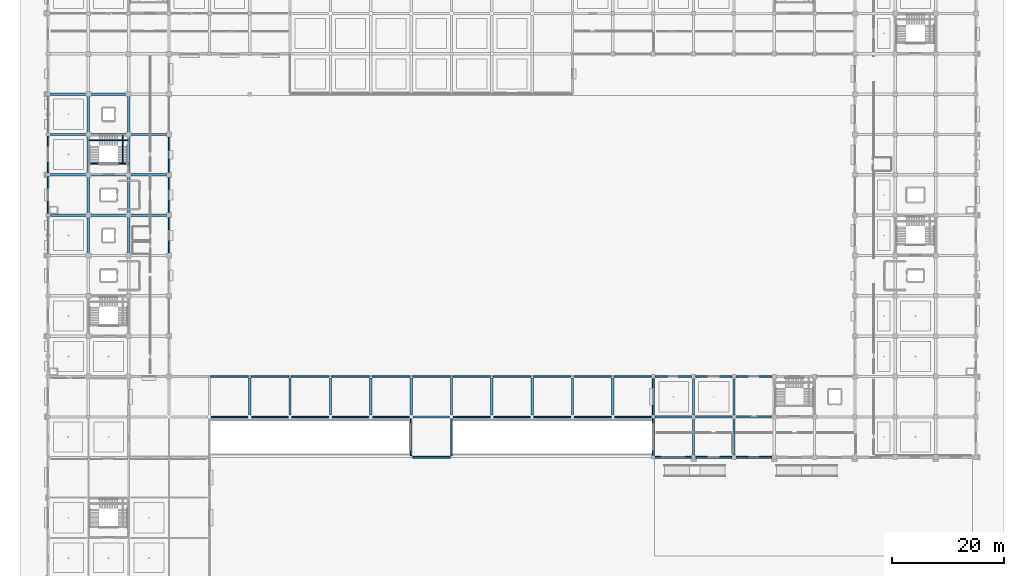
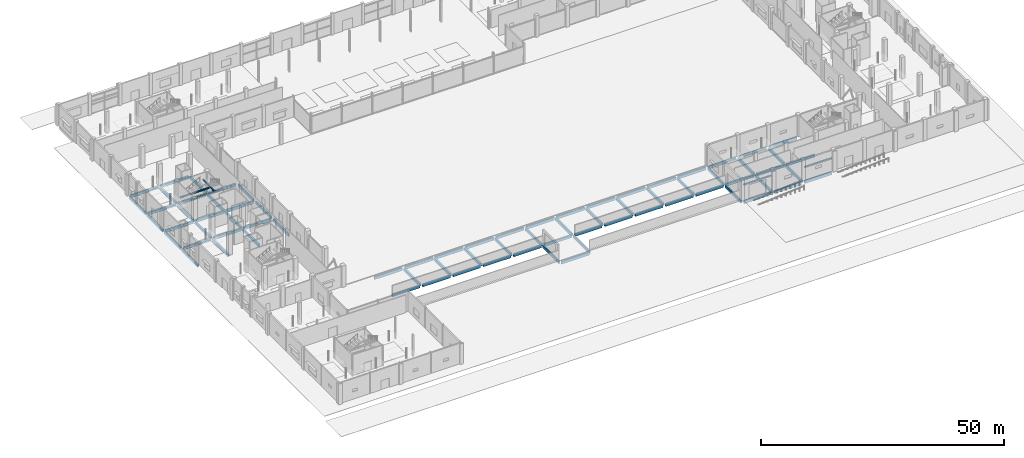
# One storey, part 12 of 90: 81 beams.
"""IFC4 building model written with IfcOpenShell, lengths in metres."""

from ifc_helpers import new_model, si_unit, direction, frame, origin, origin_2d, place, context, subcontext, project, spatial, rectangle, extrude, material, material_profile, profile_set, type_object, element, save


model = new_model("IFC4")

# Units and contexts
model_context = context("Model", 3, precision=1e-05, world=origin(), true_north=direction((0.0, 1.0)))
body_context = subcontext(model_context, "Body", "Model", "MODEL_VIEW")
ifc_project = project(units=[si_unit("LENGTHUNIT", "METRE"), si_unit("AREAUNIT", "SQUARE_METRE"), si_unit("VOLUMEUNIT", "CUBIC_METRE"), si_unit("PLANEANGLEUNIT", "RADIAN"), si_unit("MASSUNIT", "GRAM", prefix="KILO")], contexts=[model_context])

# Site, building, storey
site_placement = place(None, origin())
site = spatial("IfcSite", under=ifc_project, at=site_placement, CompositionType="ELEMENT")
building_placement = place(site_placement, origin())
building = spatial("IfcBuilding", under=site, at=building_placement, Name="Kangsadwip Square Police Headquarters", CompositionType="ELEMENT")
storey_placement = place(building_placement, origin())
storey = spatial("IfcBuildingStorey", under=building, at=storey_placement, Name="L00", CompositionType="ELEMENT", Elevation=0.0)

# Beams
ifc_material_1 = material(Name="Concrete M35 (35 MPa)", Category="concrete")
ifc_material_profile_1 = material_profile(ifc_material_1, rectangle(XDim=0.39990234375, YDim=0.64990234375, at=origin_2d()), Name="RC BM 650X400")
ifc_profile_set_1 = profile_set([ifc_material_profile_1], Name="Concrete M35 (35 MPa)")
beam_type_1 = type_object("IfcBeamType", Name="RcBeam650x400", PredefinedType="BEAM", material=ifc_profile_set_1)
beam_1_placement = place(storey_placement, frame((65.125, 28.800048828125, -0.574951171875), z_axis=(1.0, 0.0, 0.0), x_axis=(0.0, 1.0, 0.0)))
element("IfcBeam", 1, at=beam_1_placement, inside=storey, type_object=beam_type_1, Name="Beam BM-L00-X-09-04", PredefinedType="BEAM", context=body_context, shape_type="SweptSolid", body=[
    extrude(rectangle(XDim=0.39990234375, YDim=0.64990234375, at=origin_2d()), origin(), (0.0, 0.0, 1.0), 6.550048828125),
])
beam_2_placement = place(storey_placement, frame((36.0, 29.125, -0.574951171875), z_axis=(0.0, 1.0, 0.0), x_axis=(-1.0, 0.0, 0.0)))
element("IfcBeam", 2, at=beam_2_placement, inside=storey, type_object=beam_type_1, Name="Beam BM-L00-Y-05-04", PredefinedType="BEAM", context=body_context, shape_type="SweptSolid", body=[
    extrude(rectangle(XDim=0.39990234375, YDim=0.64990234375, at=origin_2d()), origin(), (0.0, 0.0, 1.0), 6.60009765625),
])
beam_3_placement = place(storey_placement, frame((43.199951171875, 29.125, -0.574951171875), z_axis=(0.0, 1.0, 0.0), x_axis=(-1.0, 0.0, 0.0)))
element("IfcBeam", 3, at=beam_3_placement, inside=storey, type_object=beam_type_1, Name="Beam BM-L00-Y-06-04", PredefinedType="BEAM", context=body_context, shape_type="SweptSolid", body=[
    extrude(rectangle(XDim=0.39990234375, YDim=0.64990234375, at=origin_2d()), origin(), (0.0, 0.0, 1.0), 6.625),
])
beam_4_placement = place(storey_placement, frame((50.39990234375, 29.125, -0.574951171875), z_axis=(0.0, 1.0, 0.0), x_axis=(-1.0, 0.0, 0.0)))
element("IfcBeam", 4, at=beam_4_placement, inside=storey, type_object=beam_type_1, Name="Beam BM-L00-Y-07-04", PredefinedType="BEAM", context=body_context, shape_type="SweptSolid", body=[
    extrude(rectangle(XDim=0.39990234375, YDim=0.64990234375, at=origin_2d()), origin(), (0.0, 0.0, 1.0), 6.60009765625),
])
beam_5_placement = place(storey_placement, frame((57.60009765625, 29.125, -0.574951171875), z_axis=(0.0, 1.0, 0.0), x_axis=(-1.0, 0.0, 0.0)))
element("IfcBeam", 5, at=beam_5_placement, inside=storey, type_object=beam_type_1, Name="Beam BM-L00-Y-08-04", PredefinedType="BEAM", context=body_context, shape_type="SweptSolid", body=[
    extrude(rectangle(XDim=0.39990234375, YDim=0.64990234375, at=origin_2d()), origin(), (0.0, 0.0, 1.0), 6.625),
])
beam_6_placement = place(storey_placement, frame((64.800048828125, 29.125, -0.574951171875), z_axis=(0.0, 1.0, 0.0), x_axis=(-1.0, 0.0, 0.0)))
element("IfcBeam", 6, at=beam_6_placement, inside=storey, type_object=beam_type_1, Name="Beam BM-L00-Y-09-04", PredefinedType="BEAM", context=body_context, shape_type="SweptSolid", body=[
    extrude(rectangle(XDim=0.39990234375, YDim=0.64990234375, at=origin_2d()), origin(), (0.0, 0.0, 1.0), 6.60009765625),
])
beam_7_placement = place(storey_placement, frame((72.0, 29.125, -0.574951171875), z_axis=(0.0, 1.0, 0.0), x_axis=(-1.0, 0.0, 0.0)))
element("IfcBeam", 7, at=beam_7_placement, inside=storey, type_object=beam_type_1, Name="Beam BM-L00-Y-10-04", PredefinedType="BEAM", context=body_context, shape_type="SweptSolid", body=[
    extrude(rectangle(XDim=0.39990234375, YDim=0.64990234375, at=origin_2d()), origin(), (0.0, 0.0, 1.0), 6.625),
])
beam_8_placement = place(storey_placement, frame((79.199951171875, 29.125, -0.574951171875), z_axis=(0.0, 1.0, 0.0), x_axis=(-1.0, 0.0, 0.0)))
element("IfcBeam", 8, at=beam_8_placement, inside=storey, type_object=beam_type_1, Name="Beam BM-L00-Y-11-04", PredefinedType="BEAM", context=body_context, shape_type="SweptSolid", body=[
    extrude(rectangle(XDim=0.39990234375, YDim=0.64990234375, at=origin_2d()), origin(), (0.0, 0.0, 1.0), 6.60009765625),
])
beam_9_placement = place(storey_placement, frame((86.39990234375, 29.125, -0.574951171875), z_axis=(0.0, 1.0, 0.0), x_axis=(-1.0, 0.0, 0.0)))
element("IfcBeam", 9, at=beam_9_placement, inside=storey, type_object=beam_type_1, Name="Beam BM-L00-Y-12-04", PredefinedType="BEAM", context=body_context, shape_type="SweptSolid", body=[
    extrude(rectangle(XDim=0.39990234375, YDim=0.64990234375, at=origin_2d()), origin(), (0.0, 0.0, 1.0), 6.625),
])
beam_10_placement = place(storey_placement, frame((93.60009765625, 29.125, -0.574951171875), z_axis=(0.0, 1.0, 0.0), x_axis=(-1.0, 0.0, 0.0)))
element("IfcBeam", 10, at=beam_10_placement, inside=storey, type_object=beam_type_1, Name="Beam BM-L00-Y-13-04", PredefinedType="BEAM", context=body_context, shape_type="SweptSolid", body=[
    extrude(rectangle(XDim=0.39990234375, YDim=0.64990234375, at=origin_2d()), origin(), (0.0, 0.0, 1.0), 6.60009765625),
])
beam_11_placement = place(storey_placement, frame((100.800048828125, 29.125, -0.574951171875), z_axis=(0.0, 1.0, 0.0), x_axis=(-1.0, 0.0, 0.0)))
element("IfcBeam", 11, at=beam_11_placement, inside=storey, type_object=beam_type_1, Name="Beam BM-L00-Y-14-04", PredefinedType="BEAM", context=body_context, shape_type="SweptSolid", body=[
    extrude(rectangle(XDim=0.39990234375, YDim=0.64990234375, at=origin_2d()), origin(), (0.0, 0.0, 1.0), 6.625),
])
for number, where, z_axis, x_axis, name in (
    (12, (108.324951171875, 28.800048828125, -0.574951171875), (1.0, 0.0, 0.0), (0.0, 1.0, 0.0), "Beam BM-L00-X-15-04"),
    (13, (115.52490234375, 28.800048828125, -0.574951171875), (1.0, 0.0, 0.0), (0.0, 1.0, 0.0), "Beam BM-L00-X-16-04"),
):
    element("IfcBeam", number, at=place(storey_placement, frame(where, z_axis=z_axis, x_axis=x_axis)), inside=storey, type_object=beam_type_1, Name=name, PredefinedType="BEAM", context=body_context, shape_type="SweptSolid", body=[
        extrude(rectangle(XDim=0.39990234375, YDim=0.64990234375, at=origin_2d()), origin(), (0.0, 0.0, 1.0), 6.550048828125),
    ])
beam_12_placement = place(storey_placement, frame((122.72509765625, 28.800048828125, -0.574951171875), z_axis=(1.0, 0.0, 0.0), x_axis=(0.0, 1.0, 0.0)))
element("IfcBeam", 14, at=beam_12_placement, inside=storey, type_object=beam_type_1, Name="Beam BM-L00-X-17-04", PredefinedType="BEAM", context=body_context, shape_type="SweptSolid", body=[
    extrude(rectangle(XDim=0.39990234375, YDim=0.64990234375, at=origin_2d()), origin(), (0.0, 0.0, 1.0), 6.5498046875),
])
beam_13_placement = place(storey_placement, frame((0.39990234375, 64.800048828125, -0.574951171875), z_axis=(1.0, 0.0, 0.0), x_axis=(0.0, 1.0, 0.0)))
element("IfcBeam", 15, at=beam_13_placement, inside=storey, type_object=beam_type_1, Name="Beam BM-L00-X-00-09", PredefinedType="BEAM", context=body_context, shape_type="SweptSolid", body=[
    extrude(rectangle(XDim=0.39990234375, YDim=0.64990234375, at=origin_2d()), origin(), (0.0, 0.0, 1.0), 6.47509765625),
])
beam_14_placement = place(storey_placement, frame((7.52490234375, 64.800048828125, -0.574951171875), z_axis=(1.0, 0.0, 0.0), x_axis=(0.0, 1.0, 0.0)))
element("IfcBeam", 16, at=beam_14_placement, inside=storey, type_object=beam_type_1, Name="Beam BM-L00-X-01-09", PredefinedType="BEAM", context=body_context, shape_type="SweptSolid", body=[
    extrude(rectangle(XDim=0.39990234375, YDim=0.64990234375, at=origin_2d()), origin(), (0.0, 0.0, 1.0), 6.550048828125),
])
beam_15_placement = place(storey_placement, frame((14.72509765625, 64.800048828125, -0.574951171875), z_axis=(1.0, 0.0, 0.0), x_axis=(0.0, 1.0, 0.0)))
element("IfcBeam", 17, at=beam_15_placement, inside=storey, type_object=beam_type_1, Name="Beam BM-L00-X-02-09", PredefinedType="BEAM", context=body_context, shape_type="SweptSolid", body=[
    extrude(rectangle(XDim=0.39990234375, YDim=0.64990234375, at=origin_2d()), origin(), (0.0, 0.0, 1.0), 6.4248046875),
])
beam_16_placement = place(storey_placement, frame((0.39990234375, 72.0, -0.574951171875), z_axis=(1.0, 0.0, 0.0), x_axis=(0.0, 1.0, 0.0)))
element("IfcBeam", 18, at=beam_16_placement, inside=storey, type_object=beam_type_1, Name="Beam BM-L00-X-00-10", PredefinedType="BEAM", context=body_context, shape_type="SweptSolid", body=[
    extrude(rectangle(XDim=0.39990234375, YDim=0.64990234375, at=origin_2d()), origin(), (0.0, 0.0, 1.0), 6.47509765625),
])
beam_17_placement = place(storey_placement, frame((7.52490234375, 72.0, -0.574951171875), z_axis=(1.0, 0.0, 0.0), x_axis=(0.0, 1.0, 0.0)))
element("IfcBeam", 19, at=beam_17_placement, inside=storey, type_object=beam_type_1, Name="Beam BM-L00-X-01-10", PredefinedType="BEAM", context=body_context, shape_type="SweptSolid", body=[
    extrude(rectangle(XDim=0.39990234375, YDim=0.64990234375, at=origin_2d()), origin(), (0.0, 0.0, 1.0), 6.550048828125),
])
beam_18_placement = place(storey_placement, frame((14.72509765625, 72.0, -0.574951171875), z_axis=(1.0, 0.0, 0.0), x_axis=(0.0, 1.0, 0.0)))
element("IfcBeam", 20, at=beam_18_placement, inside=storey, type_object=beam_type_1, Name="Beam BM-L00-X-02-10", PredefinedType="BEAM", context=body_context, shape_type="SweptSolid", body=[
    extrude(rectangle(XDim=0.39990234375, YDim=0.64990234375, at=origin_2d()), origin(), (0.0, 0.0, 1.0), 6.4248046875),
])
beam_19_placement = place(storey_placement, frame((0.39990234375, 79.199951171875, -0.574951171875), z_axis=(1.0, 0.0, 0.0), x_axis=(0.0, 1.0, 0.0)))
element("IfcBeam", 21, at=beam_19_placement, inside=storey, type_object=beam_type_1, Name="Beam BM-L00-X-00-11", PredefinedType="BEAM", context=body_context, shape_type="SweptSolid", body=[
    extrude(rectangle(XDim=0.39990234375, YDim=0.64990234375, at=origin_2d()), origin(), (0.0, 0.0, 1.0), 6.47509765625),
])
beam_20_placement = place(storey_placement, frame((7.52490234375, 79.199951171875, -0.574951171875), z_axis=(1.0, 0.0, 0.0), x_axis=(0.0, 1.0, 0.0)))
element("IfcBeam", 22, at=beam_20_placement, inside=storey, type_object=beam_type_1, Name="Beam BM-L00-X-01-11", PredefinedType="BEAM", context=body_context, shape_type="SweptSolid", body=[
    extrude(rectangle(XDim=0.39990234375, YDim=0.64990234375, at=origin_2d()), origin(), (0.0, 0.0, 1.0), 6.550048828125),
])
beam_21_placement = place(storey_placement, frame((14.72509765625, 79.199951171875, -0.574951171875), z_axis=(1.0, 0.0, 0.0), x_axis=(0.0, 1.0, 0.0)))
element("IfcBeam", 23, at=beam_21_placement, inside=storey, type_object=beam_type_1, Name="Beam BM-L00-X-02-11", PredefinedType="BEAM", context=body_context, shape_type="SweptSolid", body=[
    extrude(rectangle(XDim=0.39990234375, YDim=0.64990234375, at=origin_2d()), origin(), (0.0, 0.0, 1.0), 6.4248046875),
])
beam_22_placement = place(storey_placement, frame((0.39990234375, 86.39990234375, -0.574951171875), z_axis=(1.0, 0.0, 0.0), x_axis=(0.0, 1.0, 0.0)))
element("IfcBeam", 24, at=beam_22_placement, inside=storey, type_object=beam_type_1, Name="Beam BM-L00-X-00-12", PredefinedType="BEAM", context=body_context, shape_type="SweptSolid", body=[
    extrude(rectangle(XDim=0.39990234375, YDim=0.64990234375, at=origin_2d()), origin(), (0.0, 0.0, 1.0), 6.47509765625),
])
for number, where, z_axis, x_axis, name in (
    (25, (7.52490234375, 86.39990234375, -0.574951171875), (1.0, 0.0, 0.0), (0.0, 1.0, 0.0), "Beam BM-L00-X-01-12"),
    (26, (7.199951171875, 57.925048828125, -0.574951171875), (0.0, 1.0, 0.0), (-1.0, 0.0, 0.0), "Beam BM-L00-Y-01-08"),
    (27, (7.199951171875, 65.125, -0.574951171875), (0.0, 1.0, 0.0), (-1.0, 0.0, 0.0), "Beam BM-L00-Y-01-09"),
    (28, (7.199951171875, 72.324951171875, -0.574951171875), (0.0, 1.0, 0.0), (-1.0, 0.0, 0.0), "Beam BM-L00-Y-01-10"),
    (29, (7.199951171875, 79.52490234375, -0.574951171875), (0.0, 1.0, 0.0), (-1.0, 0.0, 0.0), "Beam BM-L00-Y-01-11"),
    (30, (14.39990234375, 57.925048828125, -0.574951171875), (0.0, 1.0, 0.0), (-1.0, 0.0, 0.0), "Beam BM-L00-Y-02-08"),
    (31, (14.39990234375, 65.125, -0.574951171875), (0.0, 1.0, 0.0), (-1.0, 0.0, 0.0), "Beam BM-L00-Y-02-09"),
    (32, (14.39990234375, 72.324951171875, -0.574951171875), (0.0, 1.0, 0.0), (-1.0, 0.0, 0.0), "Beam BM-L00-Y-02-10"),
    (33, (14.39990234375, 79.52490234375, -0.574951171875), (0.0, 1.0, 0.0), (-1.0, 0.0, 0.0), "Beam BM-L00-Y-02-11"),
):
    element("IfcBeam", number, at=place(storey_placement, frame(where, z_axis=z_axis, x_axis=x_axis)), inside=storey, type_object=beam_type_1, Name=name, PredefinedType="BEAM", context=body_context, shape_type="SweptSolid", body=[
        extrude(rectangle(XDim=0.39990234375, YDim=0.64990234375, at=origin_2d()), origin(), (0.0, 0.0, 1.0), 6.550048828125),
    ])
for number, where, z_axis, x_axis, name in (
    (34, (115.199951171875, 22.0, -0.574951171875), (0.0, 1.0, 0.0), (-1.0, 0.0, 0.0), "Beam BM-L00-Y-16-03"),
    (35, (115.199951171875, 29.125, -0.574951171875), (0.0, 1.0, 0.0), (-1.0, 0.0, 0.0), "Beam BM-L00-Y-16-04"),
    (36, (122.39990234375, 22.0, -0.574951171875), (0.0, 1.0, 0.0), (-1.0, 0.0, 0.0), "Beam BM-L00-Y-17-03"),
    (37, (122.39990234375, 29.125, -0.574951171875), (0.0, 1.0, 0.0), (-1.0, 0.0, 0.0), "Beam BM-L00-Y-17-04"),
):
    element("IfcBeam", number, at=place(storey_placement, frame(where, z_axis=z_axis, x_axis=x_axis)), inside=storey, type_object=beam_type_1, Name=name, PredefinedType="BEAM", context=body_context, shape_type="SweptSolid", body=[
        extrude(rectangle(XDim=0.39990234375, YDim=0.64990234375, at=origin_2d()), origin(), (0.0, 0.0, 1.0), 6.47509765625),
    ])
ifc_material_2 = material(Name="Concrete M30 (30 MPa)", Category="concrete")
ifc_material_profile_2 = material_profile(ifc_material_2, rectangle(XDim=0.199951171875, YDim=0.25, at=origin_2d()), Name="RC LNT 250X200")
ifc_profile_set_2 = profile_set([ifc_material_profile_2], Name="Concrete M30 (30 MPa)")
beam_type_2 = type_object("IfcBeamType", Name="RcLintel250x200", PredefinedType="LINTEL", material=ifc_profile_set_2)
for number, where, z_axis, x_axis, name in (
    (38, (7.300048828125, 78.14501953125, 1.655029296875), (1.0, 0.0, 0.0), (0.0, 1.0, 0.0), "Stair Carriage and Landing Beam BM-ST-L00-022"),
    (39, (7.300048828125, 74.02001953125, 3.455078125), (1.0, 0.0, 0.0), (0.0, 1.0, 0.0), "Stair Carriage and Landing Beam BM-ST-L00-023"),
):
    element("IfcBeam", number, at=place(storey_placement, frame(where, z_axis=z_axis, x_axis=x_axis)), inside=storey, type_object=beam_type_2, Name=name, PredefinedType="BEAM", context=body_context, shape_type="SweptSolid", body=[
        extrude(rectangle(XDim=0.199951171875, YDim=0.25, at=origin_2d()), origin(), (0.0, 0.0, 1.0), 7.0),
    ])
beam_23_placement = place(storey_placement, frame((13.344970703125, 74.02001953125, 3.455078125), z_axis=(0.0, 1.0, 0.0), x_axis=(-1.0, 0.0, 0.0)))
element("IfcBeam", 40, at=beam_23_placement, inside=storey, type_object=beam_type_2, Name="Stair Carriage and Landing Beam BM-ST-L00-024", PredefinedType="BEAM", context=body_context, shape_type="SweptSolid", body=[
    extrude(rectangle(XDim=0.199951171875, YDim=0.25, at=origin_2d()), origin(), (0.0, 0.0, 1.0), 5.080078125),
])
ifc_material_3 = material(Name="Concrete M35 (35 MPa)", Category="concrete")
ifc_material_profile_3 = material_profile(ifc_material_3, rectangle(XDim=0.300048828125, YDim=0.35009765625, at=origin_2d()), Name="RC LNT 350X300")
ifc_profile_set_3 = profile_set([ifc_material_profile_3], Name="Concrete M35 (35 MPa)")
beam_type_3 = type_object("IfcBeamType", Name="RcLintel350x300", PredefinedType="LINTEL", material=ifc_profile_set_3)
beam_24_placement = place(storey_placement, frame((108.324951171875, 21.60009765625, 3.77490234375), z_axis=(1.0, 0.0, 0.0), x_axis=(0.0, 1.0, 0.0)))
element("IfcBeam", 41, at=beam_24_placement, inside=storey, type_object=beam_type_3, Name="Opening Lintel Beam LNT-L00-0366", PredefinedType="LINTEL", context=body_context, shape_type="SweptSolid", body=[
    extrude(rectangle(XDim=0.300048828125, YDim=0.35009765625, at=origin_2d()), origin(), (0.0, 0.0, 1.0), 6.5),
])
beam_25_placement = place(storey_placement, frame((122.77490234375, 21.60009765625, 3.125), z_axis=(1.0, 0.0, 0.0), x_axis=(0.0, 1.0, 0.0)))
element("IfcBeam", 42, at=beam_25_placement, inside=storey, type_object=beam_type_3, Name="Opening Lintel Beam LNT-L00-0367", PredefinedType="LINTEL", context=body_context, shape_type="SweptSolid", body=[
    extrude(rectangle(XDim=0.300048828125, YDim=0.35009765625, at=origin_2d()), origin(), (0.0, 0.0, 1.0), 6.425048828125),
])
ifc_material_4 = material(Name="Concrete M40 (40 MPa)", Category="concrete")
ifc_material_profile_4 = material_profile(ifc_material_4, rectangle(XDim=0.300048828125, YDim=0.699951171875, at=origin_2d()), Name="RC SPN 700X300")
ifc_profile_set_4 = profile_set([ifc_material_profile_4], Name="Concrete M40 (40 MPa)")
beam_type_4 = type_object("IfcBeamType", Name="RcSpandrel700x300", PredefinedType="SPANDREL", material=ifc_profile_set_4)
beam_26_placement = place(storey_placement, frame((65.074951171875, 21.60009765625, -0.60009765625), z_axis=(1.0, 0.0, 0.0), x_axis=(0.0, 1.0, 0.0)))
element("IfcBeam", 43, at=beam_26_placement, inside=storey, type_object=beam_type_4, Name="Beam BM-L00-X-09-03", PredefinedType="SPANDREL", context=body_context, shape_type="SweptSolid", body=[
    extrude(rectangle(XDim=0.300048828125, YDim=0.699951171875, at=origin_2d()), origin(), (0.0, 0.0, 1.0), 6.675048828125),
])
for number, where, z_axis, x_axis, name in (
    (44, (29.125, 28.800048828125, -0.60009765625), (1.0, 0.0, 0.0), (0.0, 1.0, 0.0), "Beam BM-L00-X-04-04"),
    (45, (36.324951171875, 28.800048828125, -0.60009765625), (1.0, 0.0, 0.0), (0.0, 1.0, 0.0), "Beam BM-L00-X-05-04"),
    (46, (43.52490234375, 28.800048828125, -0.60009765625), (1.0, 0.0, 0.0), (0.0, 1.0, 0.0), "Beam BM-L00-X-06-04"),
):
    element("IfcBeam", number, at=place(storey_placement, frame(where, z_axis=z_axis, x_axis=x_axis)), inside=storey, type_object=beam_type_4, Name=name, PredefinedType="SPANDREL", context=body_context, shape_type="SweptSolid", body=[
        extrude(rectangle(XDim=0.300048828125, YDim=0.699951171875, at=origin_2d()), origin(), (0.0, 0.0, 1.0), 6.550048828125),
    ])
beam_27_placement = place(storey_placement, frame((50.72509765625, 28.800048828125, -0.60009765625), z_axis=(1.0, 0.0, 0.0), x_axis=(0.0, 1.0, 0.0)))
element("IfcBeam", 47, at=beam_27_placement, inside=storey, type_object=beam_type_4, Name="Beam BM-L00-X-07-04", PredefinedType="SPANDREL", context=body_context, shape_type="SweptSolid", body=[
    extrude(rectangle(XDim=0.300048828125, YDim=0.699951171875, at=origin_2d()), origin(), (0.0, 0.0, 1.0), 6.5498046875),
])
for number, where, z_axis, x_axis, name in (
    (48, (57.925048828125, 28.800048828125, -0.60009765625), (1.0, 0.0, 0.0), (0.0, 1.0, 0.0), "Beam BM-L00-X-08-04"),
    (49, (72.324951171875, 28.800048828125, -0.60009765625), (1.0, 0.0, 0.0), (0.0, 1.0, 0.0), "Beam BM-L00-X-10-04"),
    (50, (79.52490234375, 28.800048828125, -0.60009765625), (1.0, 0.0, 0.0), (0.0, 1.0, 0.0), "Beam BM-L00-X-11-04"),
):
    element("IfcBeam", number, at=place(storey_placement, frame(where, z_axis=z_axis, x_axis=x_axis)), inside=storey, type_object=beam_type_4, Name=name, PredefinedType="SPANDREL", context=body_context, shape_type="SweptSolid", body=[
        extrude(rectangle(XDim=0.300048828125, YDim=0.699951171875, at=origin_2d()), origin(), (0.0, 0.0, 1.0), 6.550048828125),
    ])
beam_28_placement = place(storey_placement, frame((86.72509765625, 28.800048828125, -0.60009765625), z_axis=(1.0, 0.0, 0.0), x_axis=(0.0, 1.0, 0.0)))
element("IfcBeam", 51, at=beam_28_placement, inside=storey, type_object=beam_type_4, Name="Beam BM-L00-X-12-04", PredefinedType="SPANDREL", context=body_context, shape_type="SweptSolid", body=[
    extrude(rectangle(XDim=0.300048828125, YDim=0.699951171875, at=origin_2d()), origin(), (0.0, 0.0, 1.0), 6.5498046875),
])
for number, where, z_axis, x_axis, name in (
    (52, (93.925048828125, 28.800048828125, -0.60009765625), (1.0, 0.0, 0.0), (0.0, 1.0, 0.0), "Beam BM-L00-X-13-04"),
    (53, (101.125, 28.800048828125, -0.60009765625), (1.0, 0.0, 0.0), (0.0, 1.0, 0.0), "Beam BM-L00-X-14-04"),
):
    element("IfcBeam", number, at=place(storey_placement, frame(where, z_axis=z_axis, x_axis=x_axis)), inside=storey, type_object=beam_type_4, Name=name, PredefinedType="SPANDREL", context=body_context, shape_type="SweptSolid", body=[
        extrude(rectangle(XDim=0.300048828125, YDim=0.699951171875, at=origin_2d()), origin(), (0.0, 0.0, 1.0), 6.550048828125),
    ])
for number, where, z_axis, x_axis, name in (
    (54, (29.050048828125, 36.0, -0.60009765625), (1.0, 0.0, 0.0), (0.0, 1.0, 0.0), "Beam BM-L00-X-04-05"),
    (55, (36.27490234375, 36.0, -0.60009765625), (1.0, 0.0, 0.0), (0.0, 1.0, 0.0), "Beam BM-L00-X-05-05"),
    (56, (43.449951171875, 36.0, -0.60009765625), (1.0, 0.0, 0.0), (0.0, 1.0, 0.0), "Beam BM-L00-X-06-05"),
    (57, (50.675048828125, 36.0, -0.60009765625), (1.0, 0.0, 0.0), (0.0, 1.0, 0.0), "Beam BM-L00-X-07-05"),
):
    element("IfcBeam", number, at=place(storey_placement, frame(where, z_axis=z_axis, x_axis=x_axis)), inside=storey, type_object=beam_type_4, Name=name, PredefinedType="SPANDREL", context=body_context, shape_type="SweptSolid", body=[
        extrude(rectangle(XDim=0.300048828125, YDim=0.699951171875, at=origin_2d()), origin(), (0.0, 0.0, 1.0), 6.675048828125),
    ])
beam_29_placement = place(storey_placement, frame((57.85009765625, 36.0, -0.60009765625), z_axis=(1.0, 0.0, 0.0), x_axis=(0.0, 1.0, 0.0)))
element("IfcBeam", 58, at=beam_29_placement, inside=storey, type_object=beam_type_4, Name="Beam BM-L00-X-08-05", PredefinedType="SPANDREL", context=body_context, shape_type="SweptSolid", body=[
    extrude(rectangle(XDim=0.300048828125, YDim=0.699951171875, at=origin_2d()), origin(), (0.0, 0.0, 1.0), 6.6748046875),
])
for number, where, z_axis, x_axis, name in (
    (59, (65.074951171875, 36.0, -0.60009765625), (1.0, 0.0, 0.0), (0.0, 1.0, 0.0), "Beam BM-L00-X-09-05"),
    (60, (72.25, 36.0, -0.60009765625), (1.0, 0.0, 0.0), (0.0, 1.0, 0.0), "Beam BM-L00-X-10-05"),
):
    element("IfcBeam", number, at=place(storey_placement, frame(where, z_axis=z_axis, x_axis=x_axis)), inside=storey, type_object=beam_type_4, Name=name, PredefinedType="SPANDREL", context=body_context, shape_type="SweptSolid", body=[
        extrude(rectangle(XDim=0.300048828125, YDim=0.699951171875, at=origin_2d()), origin(), (0.0, 0.0, 1.0), 6.675048828125),
    ])
beam_30_placement = place(storey_placement, frame((79.47509765625, 36.0, -0.60009765625), z_axis=(1.0, 0.0, 0.0), x_axis=(0.0, 1.0, 0.0)))
element("IfcBeam", 61, at=beam_30_placement, inside=storey, type_object=beam_type_4, Name="Beam BM-L00-X-11-05", PredefinedType="SPANDREL", context=body_context, shape_type="SweptSolid", body=[
    extrude(rectangle(XDim=0.300048828125, YDim=0.699951171875, at=origin_2d()), origin(), (0.0, 0.0, 1.0), 6.6748046875),
])
for number, where, z_axis, x_axis, name in (
    (62, (86.64990234375, 36.0, -0.60009765625), (1.0, 0.0, 0.0), (0.0, 1.0, 0.0), "Beam BM-L00-X-12-05"),
    (63, (93.875, 36.0, -0.60009765625), (1.0, 0.0, 0.0), (0.0, 1.0, 0.0), "Beam BM-L00-X-13-05"),
):
    element("IfcBeam", number, at=place(storey_placement, frame(where, z_axis=z_axis, x_axis=x_axis)), inside=storey, type_object=beam_type_4, Name=name, PredefinedType="SPANDREL", context=body_context, shape_type="SweptSolid", body=[
        extrude(rectangle(XDim=0.300048828125, YDim=0.699951171875, at=origin_2d()), origin(), (0.0, 0.0, 1.0), 6.675048828125),
    ])
beam_31_placement = place(storey_placement, frame((101.050048828125, 36.0, -0.60009765625), z_axis=(1.0, 0.0, 0.0), x_axis=(0.0, 1.0, 0.0)))
element("IfcBeam", 64, at=beam_31_placement, inside=storey, type_object=beam_type_4, Name="Beam BM-L00-X-14-05", PredefinedType="SPANDREL", context=body_context, shape_type="SweptSolid", body=[
    extrude(rectangle(XDim=0.300048828125, YDim=0.699951171875, at=origin_2d()), origin(), (0.0, 0.0, 1.0), 6.599853515625),
])
beam_32_placement = place(storey_placement, frame((64.800048828125, 21.875, -0.60009765625), z_axis=(0.0, 1.0, 0.0), x_axis=(-1.0, 0.0, 0.0)))
element("IfcBeam", 65, at=beam_32_placement, inside=storey, type_object=beam_type_4, Name="Beam BM-L00-Y-09-03", PredefinedType="SPANDREL", context=body_context, shape_type="SweptSolid", body=[
    extrude(rectangle(XDim=0.300048828125, YDim=0.699951171875, at=origin_2d()), origin(), (0.0, 0.0, 1.0), 6.60009765625),
])
beam_33_placement = place(storey_placement, frame((72.0, 21.85009765625, -0.60009765625), z_axis=(0.0, 1.0, 0.0), x_axis=(-1.0, 0.0, 0.0)))
element("IfcBeam", 66, at=beam_33_placement, inside=storey, type_object=beam_type_4, Name="Beam BM-L00-Y-10-03", PredefinedType="SPANDREL", context=body_context, shape_type="SweptSolid", body=[
    extrude(rectangle(XDim=0.300048828125, YDim=0.699951171875, at=origin_2d()), origin(), (0.0, 0.0, 1.0), 6.625),
])
beam_34_placement = place(storey_placement, frame((108.0, 29.125, -0.60009765625), z_axis=(0.0, 1.0, 0.0), x_axis=(-1.0, 0.0, 0.0)))
element("IfcBeam", 67, at=beam_34_placement, inside=storey, type_object=beam_type_4, Name="Beam BM-L00-Y-15-04", PredefinedType="SPANDREL", context=body_context, shape_type="SweptSolid", body=[
    extrude(rectangle(XDim=0.300048828125, YDim=0.699951171875, at=origin_2d()), origin(), (0.0, 0.0, 1.0), 6.52490234375),
])
beam_35_placement = place(storey_placement, frame((108.35009765625, 21.60009765625, -0.60009765625), z_axis=(1.0, 0.0, 0.0), x_axis=(0.0, 1.0, 0.0)))
element("IfcBeam", 68, at=beam_35_placement, inside=storey, type_object=beam_type_4, Name="Beam BM-L00-X-15-03", PredefinedType="SPANDREL", context=body_context, shape_type="SweptSolid", body=[
    extrude(rectangle(XDim=0.300048828125, YDim=0.699951171875, at=origin_2d()), origin(), (0.0, 0.0, 1.0), 6.449951171875),
])
beam_36_placement = place(storey_placement, frame((115.60009765625, 21.60009765625, -0.60009765625), z_axis=(1.0, 0.0, 0.0), x_axis=(0.0, 1.0, 0.0)))
element("IfcBeam", 69, at=beam_36_placement, inside=storey, type_object=beam_type_4, Name="Beam BM-L00-X-16-03", PredefinedType="SPANDREL", context=body_context, shape_type="SweptSolid", body=[
    extrude(rectangle(XDim=0.300048828125, YDim=0.699951171875, at=origin_2d()), origin(), (0.0, 0.0, 1.0), 6.39990234375),
])
beam_37_placement = place(storey_placement, frame((122.800048828125, 21.60009765625, -0.60009765625), z_axis=(1.0, 0.0, 0.0), x_axis=(0.0, 1.0, 0.0)))
element("IfcBeam", 70, at=beam_37_placement, inside=storey, type_object=beam_type_4, Name="Beam BM-L00-X-17-03", PredefinedType="SPANDREL", context=body_context, shape_type="SweptSolid", body=[
    extrude(rectangle(XDim=0.300048828125, YDim=0.699951171875, at=origin_2d()), origin(), (0.0, 0.0, 1.0), 6.375),
])
beam_38_placement = place(storey_placement, frame((108.35009765625, 36.0, -0.60009765625), z_axis=(1.0, 0.0, 0.0), x_axis=(0.0, 1.0, 0.0)))
element("IfcBeam", 71, at=beam_38_placement, inside=storey, type_object=beam_type_4, Name="Beam BM-L00-X-15-05", PredefinedType="SPANDREL", context=body_context, shape_type="SweptSolid", body=[
    extrude(rectangle(XDim=0.300048828125, YDim=0.699951171875, at=origin_2d()), origin(), (0.0, 0.0, 1.0), 6.449951171875),
])
beam_39_placement = place(storey_placement, frame((115.60009765625, 36.0, -0.60009765625), z_axis=(1.0, 0.0, 0.0), x_axis=(0.0, 1.0, 0.0)))
element("IfcBeam", 72, at=beam_39_placement, inside=storey, type_object=beam_type_4, Name="Beam BM-L00-X-16-05", PredefinedType="SPANDREL", context=body_context, shape_type="SweptSolid", body=[
    extrude(rectangle(XDim=0.300048828125, YDim=0.699951171875, at=origin_2d()), origin(), (0.0, 0.0, 1.0), 6.39990234375),
])
beam_40_placement = place(storey_placement, frame((122.800048828125, 36.0, -0.60009765625), z_axis=(1.0, 0.0, 0.0), x_axis=(0.0, 1.0, 0.0)))
element("IfcBeam", 73, at=beam_40_placement, inside=storey, type_object=beam_type_4, Name="Beam BM-L00-X-17-05", PredefinedType="SPANDREL", context=body_context, shape_type="SweptSolid", body=[
    extrude(rectangle(XDim=0.300048828125, YDim=0.699951171875, at=origin_2d()), origin(), (0.0, 0.0, 1.0), 6.375),
])
beam_41_placement = place(storey_placement, frame((0.0, 57.89990234375, -0.60009765625), z_axis=(0.0, 1.0, 0.0), x_axis=(-1.0, 0.0, 0.0)))
element("IfcBeam", 74, at=beam_41_placement, inside=storey, type_object=beam_type_4, Name="Beam BM-L00-Y-00-08", PredefinedType="SPANDREL", context=body_context, shape_type="SweptSolid", body=[
    extrude(rectangle(XDim=0.300048828125, YDim=0.699951171875, at=origin_2d()), origin(), (0.0, 0.0, 1.0), 6.60009765625),
])
for number, where, z_axis, x_axis, name in (
    (75, (0.0, 65.10009765625, -0.60009765625), (0.0, 1.0, 0.0), (-1.0, 0.0, 0.0), "Beam BM-L00-Y-00-09"),
    (76, (0.0, 72.300048828125, -0.60009765625), (0.0, 1.0, 0.0), (-1.0, 0.0, 0.0), "Beam BM-L00-Y-00-10"),
):
    element("IfcBeam", number, at=place(storey_placement, frame(where, z_axis=z_axis, x_axis=x_axis)), inside=storey, type_object=beam_type_4, Name=name, PredefinedType="SPANDREL", context=body_context, shape_type="SweptSolid", body=[
        extrude(rectangle(XDim=0.300048828125, YDim=0.699951171875, at=origin_2d()), origin(), (0.0, 0.0, 1.0), 6.599853515625),
    ])
beam_42_placement = place(storey_placement, frame((0.0, 79.5, -0.60009765625), z_axis=(0.0, 1.0, 0.0), x_axis=(-1.0, 0.0, 0.0)))
element("IfcBeam", 77, at=beam_42_placement, inside=storey, type_object=beam_type_4, Name="Beam BM-L00-Y-00-11", PredefinedType="SPANDREL", context=body_context, shape_type="SweptSolid", body=[
    extrude(rectangle(XDim=0.300048828125, YDim=0.699951171875, at=origin_2d()), origin(), (0.0, 0.0, 1.0), 6.60009765625),
])
for number, where, z_axis, x_axis, name in (
    (78, (21.60009765625, 58.050048828125, -0.60009765625), (0.0, 1.0, 0.0), (-1.0, 0.0, 0.0), "Beam BM-L00-Y-03-08"),
    (79, (21.60009765625, 65.25, -0.60009765625), (0.0, 1.0, 0.0), (-1.0, 0.0, 0.0), "Beam BM-L00-Y-03-09"),
    (80, (21.60009765625, 72.449951171875, -0.60009765625), (0.0, 1.0, 0.0), (-1.0, 0.0, 0.0), "Beam BM-L00-Y-03-10"),
):
    element("IfcBeam", number, at=place(storey_placement, frame(where, z_axis=z_axis, x_axis=x_axis)), inside=storey, type_object=beam_type_4, Name=name, PredefinedType="SPANDREL", context=body_context, shape_type="SweptSolid", body=[
        extrude(rectangle(XDim=0.300048828125, YDim=0.699951171875, at=origin_2d()), origin(), (0.0, 0.0, 1.0), 6.300048828125),
    ])
beam_43_placement = place(storey_placement, frame((108.0, 21.949951171875, -0.60009765625), z_axis=(0.0, 1.0, 0.0), x_axis=(-1.0, 0.0, 0.0)))
element("IfcBeam", 81, at=beam_43_placement, inside=storey, type_object=beam_type_4, Name="Beam BM-L00-Y-15-03", PredefinedType="SPANDREL", context=body_context, shape_type="SweptSolid", body=[
    extrude(rectangle(XDim=0.300048828125, YDim=0.699951171875, at=origin_2d()), origin(), (0.0, 0.0, 1.0), 6.525146484375),
])

save(model, "model.ifc")
